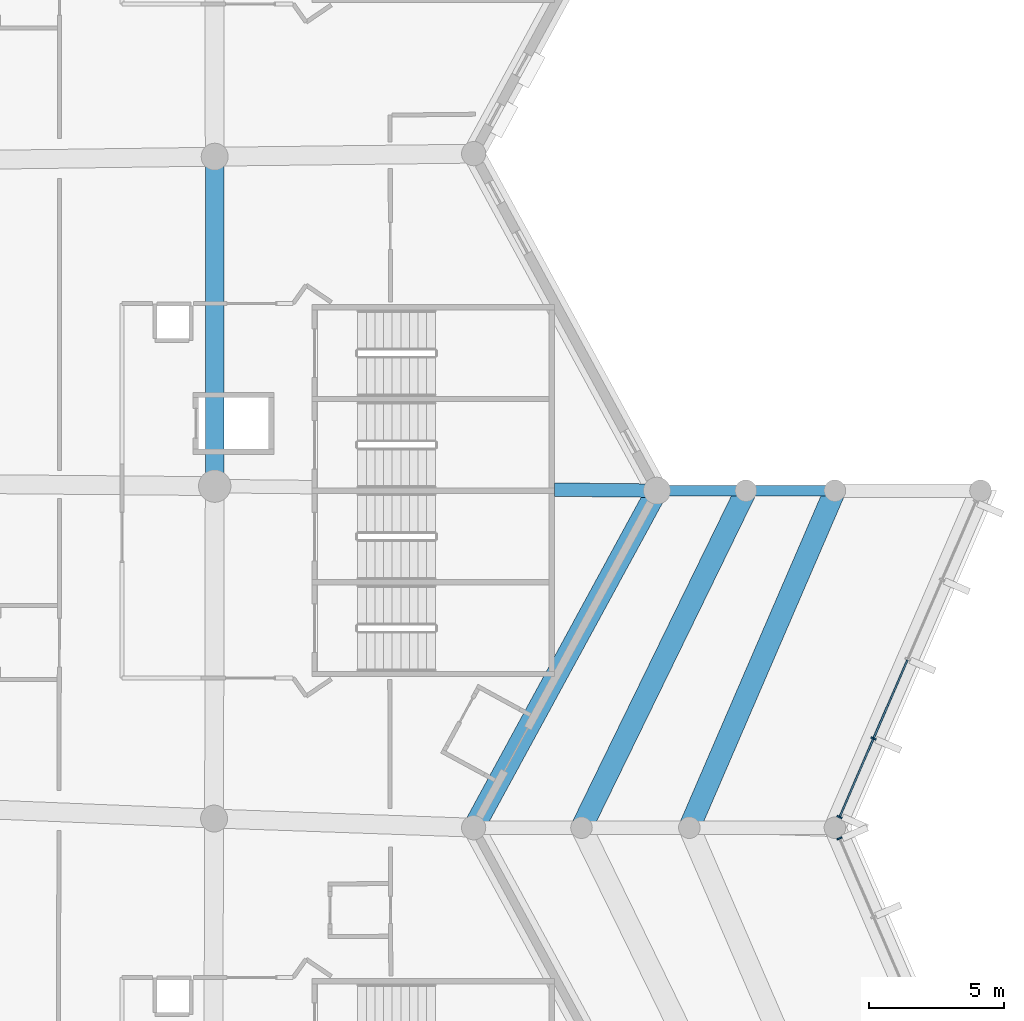
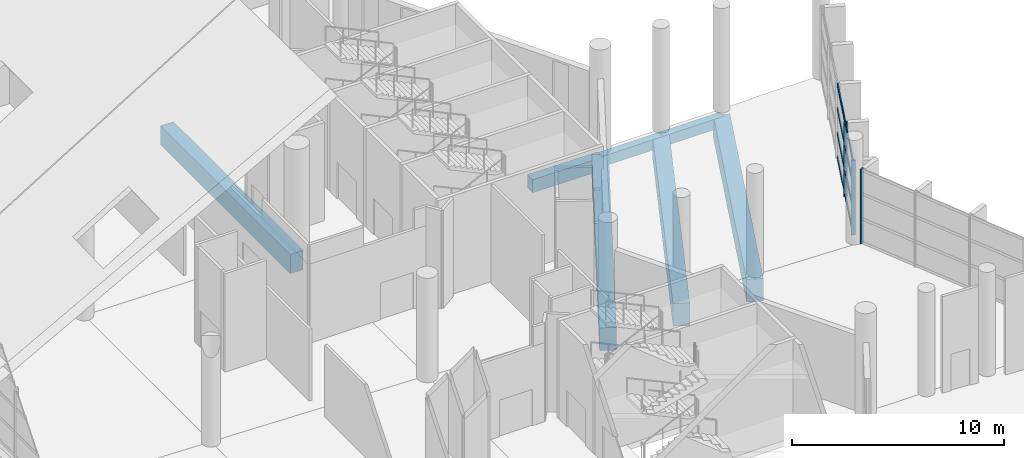
# One storey, part 50 of 249: 11 members, 7 beams, 2 elements without a shape of their own.
"""IFC4 building model written with IfcOpenShell, lengths in metres."""

from ifc_helpers import new_model, si_unit, direction, frame, origin, origin_2d, place, context, subcontext, project, spatial, rectangle, extrude, material, layer, layer_set, material_profile, profile_set, type_object, element, aggregate, save


model = new_model("IFC4")

# Units and contexts
model_context = context("Model", 3, precision=1e-05, world=origin(), true_north=direction((0.0, 1.0)))
body_context = subcontext(model_context, "Body", "Model", "MODEL_VIEW")
ifc_project = project(units=[si_unit("LENGTHUNIT", "METRE"), si_unit("AREAUNIT", "SQUARE_METRE"), si_unit("VOLUMEUNIT", "CUBIC_METRE"), si_unit("PLANEANGLEUNIT", "RADIAN"), si_unit("MASSUNIT", "GRAM", prefix="KILO")], contexts=[model_context])

# Site, building, storey
site_placement = place(None, origin())
site = spatial("IfcSite", under=ifc_project, at=site_placement, CompositionType="ELEMENT")
building_placement = place(site_placement, origin())
building = spatial("IfcBuilding", under=site, at=building_placement, Name="Meseta Stadium", CompositionType="ELEMENT")
storey_placement = place(building_placement, frame((0.0, 0.0, 12.0)))
storey = spatial("IfcBuildingStorey", under=building, at=storey_placement, Name="L02", CompositionType="ELEMENT", Elevation=12.0)

# Beams
ifc_material_1 = material(Name="Concrete C40/50", Category="concrete")
ifc_material_profile_1 = material_profile(ifc_material_1, rectangle(XDim=0.39990234375, YDim=0.60009765625, at=origin_2d()), Name="RC 400x600")
ifc_profile_set_1 = profile_set([ifc_material_profile_1], Name="Concrete C40/50")
beam_type_1 = type_object("IfcBeamType", Name="RC beam 400x600", PredefinedType="BEAM", material=ifc_profile_set_1)
for number, where, z_axis, x_axis, name in (
    (1, (101.39990234375, -6.25, -0.64990234375), (1.0, 0.0, 0.0), (0.0, 1.0, 0.0), "L02 radial beam frame 4 line R to M"),
    (2, (104.699951171875, -6.25, -0.64990234375), (1.0, 0.0, 0.0), (0.0, 1.0, 0.0), "L02 radial beam frame 4 line M to Q"),
):
    element("IfcBeam", number, at=place(storey_placement, frame(where, z_axis=z_axis, x_axis=x_axis)), inside=storey, type_object=beam_type_1, Name=name, PredefinedType="BEAM", context=body_context, shape_type="SweptSolid", body=[
        extrude(rectangle(XDim=0.39990234375, YDim=0.60009765625, at=origin_2d()), origin(), (0.0, 0.0, 1.0), 3.300048828125),
    ])
ifc_material_2 = material(Name="Concrete C40/50", Category="concrete")
ifc_material_profile_2 = material_profile(ifc_material_2, rectangle(XDim=0.5, YDim=0.75, at=origin_2d()), Name="RC 500x750")
ifc_profile_set_2 = profile_set([ifc_material_profile_2], Name="Concrete C40/50")
beam_type_2 = type_object("IfcBeamType", Name="RC beam 500x750", PredefinedType="BEAM", material=ifc_profile_set_2)
beam_1_placement = place(storey_placement, frame((97.60009765625, -6.2109375, -0.72509765625), z_axis=(0.999947163614, -0.010279590477, 0.0), x_axis=(0.010279590477, 0.999947163614, 0.0)))
element("IfcBeam", 3, at=beam_1_placement, inside=storey, type_object=beam_type_2, Name="L02 radial beam frame 4 line P to R", PredefinedType="BEAM", context=body_context, shape_type="SweptSolid", body=[
    extrude(rectangle(XDim=0.5, YDim=0.75, at=origin_2d()), origin(), (0.0, 0.0, 1.0), 3.800048828125),
])
ifc_material_3 = material(Name="Concrete C40/50", Category="concrete")
ifc_material_profile_3 = material_profile(ifc_material_3, rectangle(XDim=0.699951171875, YDim=1.10009765625, at=origin_2d()), Name="RC 700x1100")
ifc_profile_set_3 = profile_set([ifc_material_profile_3], Name="Concrete C40/50")
beam_type_3 = type_object("IfcBeamType", Name="RC beam 700x1100", PredefinedType="BEAM", material=ifc_profile_set_3)
beam_2_placement = place(storey_placement, frame((84.99755859375, -6.081298828125, -0.89990234375), z_axis=(-3.9962435e-05, 0.999999999202, 0.0), x_axis=(-0.999999999202, -3.9962435e-05, 0.0)))
element("IfcBeam", 4, at=beam_2_placement, inside=storey, type_object=beam_type_3, Name="L02 ring beam frame 4 line P", PredefinedType="BEAM", context=body_context, shape_type="SweptSolid", body=[
    extrude(rectangle(XDim=0.699951171875, YDim=1.10009765625, at=origin_2d()), origin(), (0.0, 0.0, 1.0), 12.218505859375),
])
ifc_material_4 = material(Name="Concrete C40/50", Category="concrete")
ifc_material_profile_4 = material_profile(ifc_material_4, rectangle(XDim=0.800048828125, YDim=1.300048828125, at=origin_2d()), Name="RC 800x1300")
ifc_profile_set_4 = profile_set([ifc_material_profile_4], Name="Concrete C40/50")
beam_type_4 = type_object("IfcBeamType", Name="RC beam 800x1300", PredefinedType="BEAM", material=ifc_profile_set_4)
beam_3_placement = place(storey_placement, frame((94.60009765625, -18.75, -1.0), z_axis=(0.47785649891, 0.878437912689, 0.0), x_axis=(-0.878437912689, 0.47785649891, 0.0)))
element("IfcBeam", 5, at=beam_3_placement, inside=storey, type_object=beam_type_4, Name="L02 ring beam frame 3 line R", PredefinedType="BEAM", context=body_context, shape_type="SweptSolid", body=[
    extrude(rectangle(XDim=0.800048828125, YDim=1.300048828125, at=origin_2d()), origin(), (0.0, 0.0, 1.0), 14.229736328125),
])
beam_4_placement = place(storey_placement, frame((98.60009765625, -18.75, -1.0), z_axis=(0.438556770405, 0.898703487882, 0.0), x_axis=(-0.898703487882, 0.438556770405, 0.0)))
element("IfcBeam", 6, at=beam_4_placement, inside=storey, type_object=beam_type_4, Name="L02 ring beam frame 3 line M", PredefinedType="BEAM", context=body_context, shape_type="SweptSolid", body=[
    extrude(rectangle(XDim=0.800048828125, YDim=1.300048828125, at=origin_2d()), origin(), (0.0, 0.0, 1.0), 13.908935546875),
])
beam_5_placement = place(storey_placement, frame((102.60009765625, -18.75, -1.0), z_axis=(0.396570645327, 0.918004206562, 0.0), x_axis=(-0.918004206562, 0.396570645327, 0.0)))
element("IfcBeam", 7, at=beam_5_placement, inside=storey, type_object=beam_type_4, Name="L02 ring beam frame 3 line Q", PredefinedType="BEAM", context=body_context, shape_type="SweptSolid", body=[
    extrude(rectangle(XDim=0.800048828125, YDim=1.300048828125, at=origin_2d()), origin(), (0.0, 0.0, 1.0), 13.616455078125),
])

# Curtain wall, member
ifc_material_5 = material(Name="Aluminium", Category="aluminium")
ifc_layer = layer(ifc_material_5, 0.199951171875)
ifc_layer_set = layer_set([ifc_layer], Name="Ring shopfront curtain wall")
curtain_wall_type = type_object("IfcCurtainWallType", Name="Ring shopfront curtain wall", PredefinedType="NOTDEFINED", material=ifc_layer_set)
curtain_wall_1_placement = place(storey_placement, origin())
curtain_wall_1 = element("IfcCurtainWall", 8, at=curtain_wall_1_placement, inside=storey, type_object=curtain_wall_type, Name="Ring glazing L02 F02", PredefinedType="NOTDEFINED")
ifc_material_6 = material(Name="Aluminium", Category="aluminium")
ifc_material_profile_5 = material_profile(ifc_material_6, rectangle(XDim=0.199951171875, YDim=0.06005859375, at=origin_2d()), Name="CW 200x60")
ifc_profile_set_5 = profile_set([ifc_material_profile_5], Name="Aluminium")
member_type_1 = type_object("IfcMemberType", Name="Ring CW mullion 60x200", PredefinedType="MULLION", material=ifc_profile_set_5)
member_1_placement = place(storey_placement, frame((108.17041015625, -19.144775390625, 0.0), z_axis=(0.0, 0.0, 1.0), x_axis=(-0.91799986854, -0.396580687073, 0.0)))
member_1 = element("IfcMember", 9, at=member_1_placement, type_object=member_type_1, Name="CWR1 mullion 5", PredefinedType="MULLION", context=body_context, shape_type="SweptSolid", body=[
    extrude(rectangle(XDim=0.199951171875, YDim=0.06005859375, at=origin_2d()), origin(), (0.0, 0.0, 1.0), 4.300048828125),
])
aggregate(curtain_wall_1, [member_1])

# Curtain wall, members
curtain_wall_2_placement = place(storey_placement, origin())
curtain_wall_2 = element("IfcCurtainWall", 10, at=curtain_wall_2_placement, inside=storey, type_object=curtain_wall_type, Name="Ring glazing L02 F03", PredefinedType="NOTDEFINED")
member_2_placement = place(storey_placement, frame((108.17041015625, -18.355224609375, 0.0), z_axis=(0.0, 0.0, 1.0), x_axis=(-0.91799986854, 0.396580687073, 0.0)))
member_2 = element("IfcMember", 11, at=member_2_placement, type_object=member_type_1, Name="CWR1 mullion 1", PredefinedType="MULLION", context=body_context, shape_type="SweptSolid", body=[
    extrude(rectangle(XDim=0.199951171875, YDim=0.06005859375, at=origin_2d()), origin(), (0.0, 0.0, 1.0), 4.300048828125),
])
member_3_placement = place(storey_placement, frame((109.42919921875, -15.44140625, 0.0), z_axis=(0.0, 0.0, 1.0), x_axis=(-0.91799986854, 0.396580687073, 0.0)))
member_3 = element("IfcMember", 12, at=member_3_placement, type_object=member_type_1, Name="CWR1 mullion 2", PredefinedType="MULLION", context=body_context, shape_type="SweptSolid", body=[
    extrude(rectangle(XDim=0.199951171875, YDim=0.06005859375, at=origin_2d()), origin(), (0.0, 0.0, 1.0), 4.300048828125),
])
ifc_material_7 = material(Name="Aluminium", Category="aluminium")
ifc_material_profile_6 = material_profile(ifc_material_7, rectangle(XDim=0.06005859375, YDim=0.14990234375, at=origin_2d()), Name="CW 60x150")
ifc_profile_set_6 = profile_set([ifc_material_profile_6], Name="Aluminium")
member_type_2 = type_object("IfcMemberType", Name="Ring CW transom 60x150", PredefinedType="USERDEFINED", material=ifc_profile_set_6)
member_4_placement = place(storey_placement, frame((108.182373046875, -18.32763671875, 0.074951171875), z_axis=(0.396623730244, 0.917981272471, 0.0), x_axis=(-0.917981272471, 0.396623730244, 0.0)))
member_4 = element("IfcMember", 13, at=member_4_placement, type_object=member_type_2, Name="CWR1 transom 1.1", ObjectType="TRANSOM", PredefinedType="USERDEFINED", context=body_context, shape_type="SweptSolid", body=[
    extrude(rectangle(XDim=0.06005859375, YDim=0.14990234375, at=origin_2d()), origin(), (0.0, 0.0, 1.0), 3.114013671875),
])
member_5_placement = place(storey_placement, frame((108.182373046875, -18.32763671875, 1.433349609375), z_axis=(0.396623730244, 0.917981272471, 0.0), x_axis=(-0.917981272471, 0.396623730244, 0.0)))
member_5 = element("IfcMember", 14, at=member_5_placement, type_object=member_type_2, Name="CWR1 transom 1.2", ObjectType="TRANSOM", PredefinedType="USERDEFINED", context=body_context, shape_type="SweptSolid", body=[
    extrude(rectangle(XDim=0.06005859375, YDim=0.14990234375, at=origin_2d()), origin(), (0.0, 0.0, 1.0), 3.114013671875),
])
member_6_placement = place(storey_placement, frame((108.182373046875, -18.32763671875, 2.86669921875), z_axis=(0.396623730244, 0.917981272471, 0.0), x_axis=(-0.917981272471, 0.396623730244, 0.0)))
member_6 = element("IfcMember", 15, at=member_6_placement, type_object=member_type_2, Name="CWR1 transom 1.3", ObjectType="TRANSOM", PredefinedType="USERDEFINED", context=body_context, shape_type="SweptSolid", body=[
    extrude(rectangle(XDim=0.06005859375, YDim=0.14990234375, at=origin_2d()), origin(), (0.0, 0.0, 1.0), 3.114013671875),
])
member_7_placement = place(storey_placement, frame((108.182373046875, -18.32763671875, 4.22509765625), z_axis=(0.396623730244, 0.917981272471, 0.0), x_axis=(-0.917981272471, 0.396623730244, 0.0)))
member_7 = element("IfcMember", 16, at=member_7_placement, type_object=member_type_2, Name="CWR1 transom 1.4", ObjectType="TRANSOM", PredefinedType="USERDEFINED", context=body_context, shape_type="SweptSolid", body=[
    extrude(rectangle(XDim=0.06005859375, YDim=0.14990234375, at=origin_2d()), origin(), (0.0, 0.0, 1.0), 3.114013671875),
])
member_8_placement = place(storey_placement, frame((109.441162109375, -15.413818359375, 0.074951171875), z_axis=(0.396569883564, 0.918004535637, 0.0), x_axis=(-0.918004535637, 0.396569883564, 0.0)))
member_8 = element("IfcMember", 17, at=member_8_placement, type_object=member_type_2, Name="CWR1 transom 2.1", ObjectType="TRANSOM", PredefinedType="USERDEFINED", context=body_context, shape_type="SweptSolid", body=[
    extrude(rectangle(XDim=0.06005859375, YDim=0.14990234375, at=origin_2d()), origin(), (0.0, 0.0, 1.0), 3.14404296875),
])
member_9_placement = place(storey_placement, frame((109.441162109375, -15.413818359375, 1.433349609375), z_axis=(0.396569883564, 0.918004535637, 0.0), x_axis=(-0.918004535637, 0.396569883564, 0.0)))
member_9 = element("IfcMember", 18, at=member_9_placement, type_object=member_type_2, Name="CWR1 transom 2.2", ObjectType="TRANSOM", PredefinedType="USERDEFINED", context=body_context, shape_type="SweptSolid", body=[
    extrude(rectangle(XDim=0.06005859375, YDim=0.14990234375, at=origin_2d()), origin(), (0.0, 0.0, 1.0), 3.14404296875),
])
member_10_placement = place(storey_placement, frame((109.441162109375, -15.413818359375, 2.86669921875), z_axis=(0.396569883564, 0.918004535637, 0.0), x_axis=(-0.918004535637, 0.396569883564, 0.0)))
member_10 = element("IfcMember", 19, at=member_10_placement, type_object=member_type_2, Name="CWR1 transom 2.3", ObjectType="TRANSOM", PredefinedType="USERDEFINED", context=body_context, shape_type="SweptSolid", body=[
    extrude(rectangle(XDim=0.06005859375, YDim=0.14990234375, at=origin_2d()), origin(), (0.0, 0.0, 1.0), 3.14404296875),
])
member_11_placement = place(storey_placement, frame((109.441162109375, -15.413818359375, 4.22509765625), z_axis=(0.396569883564, 0.918004535637, 0.0), x_axis=(-0.918004535637, 0.396569883564, 0.0)))
member_11 = element("IfcMember", 20, at=member_11_placement, type_object=member_type_2, Name="CWR1 transom 2.4", ObjectType="TRANSOM", PredefinedType="USERDEFINED", context=body_context, shape_type="SweptSolid", body=[
    extrude(rectangle(XDim=0.06005859375, YDim=0.14990234375, at=origin_2d()), origin(), (0.0, 0.0, 1.0), 3.14404296875),
])
aggregate(curtain_wall_2, [member_2, member_3, member_4, member_5, member_6, member_7, member_8, member_9, member_10, member_11])

save(model, "model.ifc")
